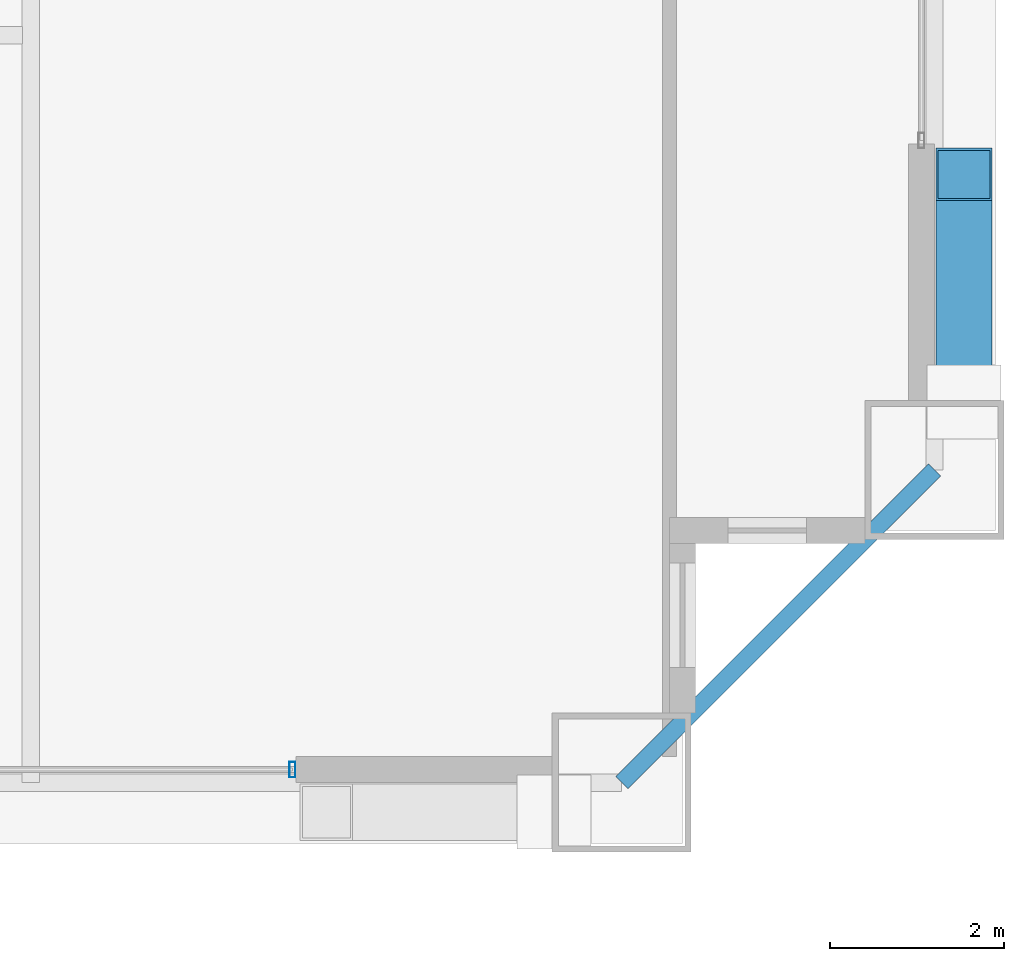
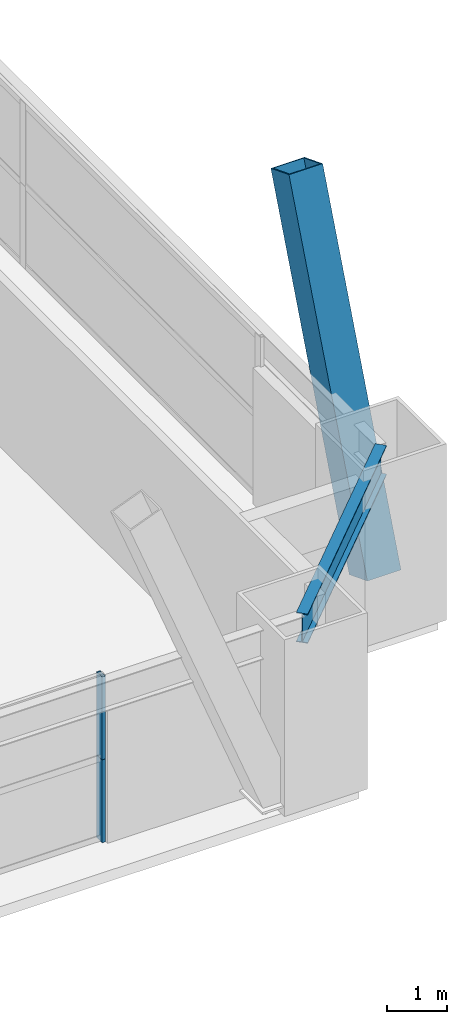
# One storey, part 16 of 43: 3 members, 1 beam, 1 element without a shape of its own.
"""IFC4 building model written with IfcOpenShell, lengths in metres."""

import ifcopenshell
import ifcopenshell.guid

model = None  # the IFC model being written
_history = None  # IfcOwnerHistory: only IFC2X3 demands one
_inside = {}  # id of a spatial element -> (the spatial element, [elements in it])
_under = {}  # id of a project, library or spatial element -> (it, [spatial elements below it])
_declared = {}  # id of a project -> (the project, [libraries it declares])
_typed = {}  # id of a type object -> (the type object, [elements of that type])
_made_of = {}  # id of a material, layer set ... -> (it, [elements and type objects made of it])


def new_model(schema):
    """Start an empty IFC model of exactly this schema.

    Asked for "IFC4X3", IfcOpenShell would pick the latest addendum, in which some entities
    have other attributes; the version numbers below select the first issue.
    IFC2X3 requires an IfcOwnerHistory on every rooted entity: one is made here for all.
    """
    global model, _history
    if schema == "IFC4X3":
        model = ifcopenshell.file(schema_version=(4, 3, 0, 0))
    else:
        model = ifcopenshell.file(schema=schema)
    _inside.clear()
    _under.clear()
    _declared.clear()
    _typed.clear()
    _made_of.clear()
    _history = None
    if model.schema == "IFC2X3":
        org = make("IfcOrganization", Name="unknown")
        user = make(
            "IfcPersonAndOrganization",
            ThePerson=make("IfcPerson", FamilyName="unknown"),
            TheOrganization=org,
        )
        app = make(
            "IfcApplication",
            ApplicationDeveloper=org,
            Version="unknown",
            ApplicationFullName="unknown",
            ApplicationIdentifier="unknown",
        )
        _history = make(
            "IfcOwnerHistory",
            OwningUser=user,
            OwningApplication=app,
            ChangeAction="ADDED",
            CreationDate=0,
        )
    return model


def make(cls, **values):
    """One entity of the class cls with the attributes given. An attribute that is None is left unset."""
    return model.create_entity(
        cls, **{name: value for name, value in values.items() if value is not None}
    )


def rooted(cls, **values):
    """An entity with a GlobalId (a new one), such as an element, a storey or a relation."""
    return make(cls, GlobalId=ifcopenshell.guid.new(), OwnerHistory=_history, **values)


def si_unit(unit_type, name, prefix=None):
    """IfcSIUnit, for example si_unit("LENGTHUNIT", "METRE", prefix="MILLI")."""
    return make("IfcSIUnit", UnitType=unit_type, Prefix=prefix, Name=name)


def assignment(units):
    """IfcUnitAssignment: the units of a project."""
    return None if units is None else make("IfcUnitAssignment", Units=units)


def point(xyz):
    """IfcCartesianPoint."""
    return None if xyz is None else make("IfcCartesianPoint", Coordinates=xyz)


def direction(xyz):
    """IfcDirection."""
    return None if xyz is None else make("IfcDirection", DirectionRatios=xyz)


def frame(location, z_axis=None, x_axis=None):
    """IfcAxis2Placement3D, a coordinate frame: its origin and axes. An axis left out is left unset."""
    return make(
        "IfcAxis2Placement3D",
        Location=point(location),
        Axis=direction(z_axis),
        RefDirection=direction(x_axis),
    )


def frame_2d(location, x_axis=None):
    """IfcAxis2Placement2D, a coordinate frame in the plane: its origin and x axis."""
    return make(
        "IfcAxis2Placement2D", Location=point(location), RefDirection=direction(x_axis)
    )


def origin():
    """The frame at (0, 0, 0) with its axes left unset."""
    return frame((0.0, 0.0, 0.0))


def origin_2d():
    """The frame at (0, 0) in the plane with its x axis left unset."""
    return frame_2d((0.0, 0.0))


def place(relative_to, where):
    """IfcLocalPlacement: puts the frame where relative to a parent placement (None: the world)."""
    return make(
        "IfcLocalPlacement", PlacementRelTo=relative_to, RelativePlacement=where
    )


def context(
    kind, dimensions, precision=None, world=None, true_north=None, identifier=None
):
    """IfcGeometricRepresentationContext, for example the 3D "Model" context."""
    return make(
        "IfcGeometricRepresentationContext",
        ContextIdentifier=identifier,
        ContextType=kind,
        CoordinateSpaceDimension=dimensions,
        Precision=precision,
        WorldCoordinateSystem=world,
        TrueNorth=true_north,
    )


def subcontext(parent, identifier, kind, view, scale=None):
    """IfcGeometricRepresentationSubContext, for example "Body" below "Model"."""
    return make(
        "IfcGeometricRepresentationSubContext",
        ContextIdentifier=identifier,
        ContextType=kind,
        ParentContext=parent,
        TargetScale=scale,
        TargetView=view,
    )


def project(units=None, contexts=None):
    """IfcProject with its units and contexts."""
    return rooted(
        "IfcProject",
        Name="project",
        RepresentationContexts=contexts,
        UnitsInContext=assignment(units),
    )


def spatial(cls, under=None, at=None, **own):
    """A site, building, storey or space (cls), placed at a placement, below another one or the project."""
    s = rooted(cls, ObjectPlacement=at, **own)
    if under is not None:
        _under.setdefault(under.id(), (under, []))[1].append(s)
    return s


def profile(cls, at=None, kind="AREA", **sizes):
    """A parametric profile (cls). Its sizes go by their IFC names, for example OverallWidth=200.0."""
    return make(cls, ProfileType=kind, Position=at, **sizes)


def hollow_rectangle(**sizes):
    """IfcRectangleHollowProfileDef."""
    return profile("IfcRectangleHollowProfileDef", **sizes)


def i_section(**sizes):
    """IfcIShapeProfileDef."""
    return profile("IfcIShapeProfileDef", **sizes)


def extrude(swept, where, along, depth):
    """IfcExtrudedAreaSolid: the profile swept, set in the frame where, extruded along a direction by depth."""
    return make(
        "IfcExtrudedAreaSolid",
        SweptArea=swept,
        Position=where,
        ExtrudedDirection=direction(along),
        Depth=depth,
    )


def shape(context_of_items, identifier, shape_type, items):
    """IfcShapeRepresentation: the items that make up one representation, for example the "Body"."""
    return make(
        "IfcShapeRepresentation",
        ContextOfItems=context_of_items,
        RepresentationIdentifier=identifier,
        RepresentationType=shape_type,
        Items=items,
    )


def source(mapping_origin, context_of_items, identifier, shape_type, items):
    """IfcRepresentationMap: a shape defined once, which mapped items show again and again."""
    return make(
        "IfcRepresentationMap",
        MappingOrigin=mapping_origin,
        MappedRepresentation=shape(context_of_items, identifier, shape_type, items),
    )


def transform(
    local_origin,
    x_axis=None,
    y_axis=None,
    z_axis=None,
    scale=None,
    scale2=None,
    scale3=None,
    uniform=True,
):
    """IfcCartesianTransformationOperator3D, or its non-uniform kind. x_axis, y_axis, z_axis: its Axis1, 2, 3."""
    if uniform:
        return make(
            "IfcCartesianTransformationOperator3D",
            Axis1=direction(x_axis),
            Axis2=direction(y_axis),
            LocalOrigin=point(local_origin),
            Scale=scale,
            Axis3=direction(z_axis),
        )
    return make(
        "IfcCartesianTransformationOperator3DnonUniform",
        Axis1=direction(x_axis),
        Axis2=direction(y_axis),
        LocalOrigin=point(local_origin),
        Scale=scale,
        Axis3=direction(z_axis),
        Scale2=scale2,
        Scale3=scale3,
    )


def mapped(mapping_source, mapping_target):
    """IfcMappedItem: shows the shape of a source again, moved by a transform."""
    return make(
        "IfcMappedItem", MappingSource=mapping_source, MappingTarget=mapping_target
    )


def material(Name=None, Category=None):
    """IfcMaterial."""
    return make("IfcMaterial", Name=Name, Category=Category)


def layer(
    of_material, thickness, ventilated=None, Name=None, Category=None, Priority=None
):
    """IfcMaterialLayer: one layer of a wall or slab, of a material (None: an air gap)."""
    return make(
        "IfcMaterialLayer",
        Material=of_material,
        LayerThickness=thickness,
        IsVentilated=ventilated,
        Name=Name,
        Category=Category,
        Priority=Priority,
    )


def layer_set(layers, Name=None):
    """IfcMaterialLayerSet."""
    return make("IfcMaterialLayerSet", MaterialLayers=layers, LayerSetName=Name)


def material_profile(
    of_material, cross_section, Name=None, Category=None, Priority=None
):
    """IfcMaterialProfile: a cross section and its material."""
    return make(
        "IfcMaterialProfile",
        Name=Name,
        Material=of_material,
        Profile=cross_section,
        Priority=Priority,
        Category=Category,
    )


def profile_set(profiles, Name=None, composite=None):
    """IfcMaterialProfileSet."""
    return make(
        "IfcMaterialProfileSet",
        Name=Name,
        MaterialProfiles=profiles,
        CompositeProfile=composite,
    )


def made_of(thing, what):
    """Note that an element or type object is made of a material, layer set ...; save() writes the relation."""
    if what is not None:
        _made_of.setdefault(what.id(), (what, []))[1].append(thing)
    return thing


def type_object(cls, material=None, **own):
    """A type object (cls), such as IfcWallType, which elements share."""
    return made_of(rooted(cls, **own), material)


def element(
    cls,
    number,
    at=None,
    inside=None,
    cuts=None,
    type_object=None,
    material=None,
    context=None,
    identifier="Body",
    shape_type=None,
    held_by="IfcProductDefinitionShape",
    body=None,
    shapes=None,
    **own,
):
    """One element of the class cls, such as IfcWall. Its Tag is "e" and its number.

    at: its placement. inside: the storey or other place that contains it. cuts: it is an
    opening in that element (IfcRelVoidsElement). A single representation is given by context,
    identifier, shape_type and body (its items); several are given by shapes. held_by: the class
    of the entity that holds the representations. save() writes the other relations.
    """
    e = rooted(cls, Tag="e%d" % number, ObjectPlacement=at, **own)
    if body is not None:
        shapes = [shape(context, identifier, shape_type, body)]
    if shapes is not None:
        e.Representation = make(held_by, Representations=shapes)
    if inside is not None:
        _inside.setdefault(inside.id(), (inside, []))[1].append(e)
    if cuts is not None:
        rooted(
            "IfcRelVoidsElement", RelatingBuildingElement=cuts, RelatedOpeningElement=e
        )
    if type_object is not None:
        _typed.setdefault(type_object.id(), (type_object, []))[1].append(e)
    return made_of(e, material)


def aggregate(whole, parts):
    """IfcRelAggregates: a whole, such as a stair, and the parts it consists of."""
    return rooted("IfcRelAggregates", RelatingObject=whole, RelatedObjects=parts)


def save(model, path):
    """Write the relations noted so far, then the file.

    IfcRelAggregates (storeys below a building ...), IfcRelContainedInSpatialStructure (elements
    in a storey), IfcRelDefinesByType, IfcRelAssociatesMaterial and IfcRelDeclares: one each for
    every whole, place, type object, material and project.
    """
    for whole, parts in _under.values():
        aggregate(whole, parts)
    for where, things in _inside.values():
        rooted(
            "IfcRelContainedInSpatialStructure",
            RelatedElements=things,
            RelatingStructure=where,
        )
    for kind, things in _typed.values():
        rooted("IfcRelDefinesByType", RelatedObjects=things, RelatingType=kind)
    for what, things in _made_of.values():
        rooted("IfcRelAssociatesMaterial", RelatedObjects=things, RelatingMaterial=what)
    for by, libraries in _declared.values():
        rooted("IfcRelDeclares", RelatingContext=by, RelatedDefinitions=libraries)
    model.write(path)


model = new_model("IFC4")

# Units and contexts
model_context = context("Model", 3, precision=1e-05, world=origin(), true_north=direction((0.0, 1.0)))
body_context = subcontext(model_context, "Body", "Model", "MODEL_VIEW")
ifc_project = project(units=[si_unit("LENGTHUNIT", "METRE"), si_unit("AREAUNIT", "SQUARE_METRE"), si_unit("VOLUMEUNIT", "CUBIC_METRE"), si_unit("PLANEANGLEUNIT", "RADIAN"), si_unit("MASSUNIT", "GRAM", prefix="KILO"), si_unit("THERMODYNAMICTEMPERATUREUNIT", "KELVIN"), si_unit("POWERUNIT", "WATT")], contexts=[model_context])

# Site, building, storey
site_placement = place(None, origin())
site = spatial("IfcSite", under=ifc_project, at=site_placement, CompositionType="ELEMENT")
building_placement = place(site_placement, origin())
building = spatial("IfcBuilding", under=site, at=building_placement, Name="Yuzanri Waterfront Tower", CompositionType="ELEMENT")
storey_placement = place(building_placement, frame((0.0, 0.0, 108.199951171875)))
storey = spatial("IfcBuildingStorey", under=building, at=storey_placement, Name="L28", CompositionType="ELEMENT", Elevation=108.199951171875)

# Beam
ifc_material_1 = material(Name="Steel Q355B", Category="steel")
ifc_material_profile_1 = material_profile(ifc_material_1, i_section(OverallWidth=0.199951171875, OverallDepth=0.60009765625, WebThickness=0.010986328125, FlangeThickness=0.01708984375, at=origin_2d()), Name="HN 600x200x11x17")
ifc_profile_set_1 = profile_set([ifc_material_profile_1], Name="Steel Q355B")
beam_type = type_object("IfcBeamType", Name="Perimeter Spandrel Q355B HN 600x200", PredefinedType="SPANDREL", material=ifc_profile_set_1)
shared_shape_1 = source(origin(), body_context, "Body", "SweptSolid", [
    extrude(i_section(OverallWidth=0.199951171875, OverallDepth=0.60009765625, WebThickness=0.010986328125, FlangeThickness=0.01708984375, at=origin_2d()), origin(), (0.0, 0.0, 1.0), 5.09130859375),
])
beam_placement = place(storey_placement, frame((57.0, 2.199951171875, 3.080078125), z_axis=(0.707106781187, 0.707106781187, 0.0), x_axis=(-0.707106781187, 0.707106781187, 0.0)))
element("IfcBeam", 1, at=beam_placement, inside=storey, type_object=beam_type, Name="L28 Perimeter Spandrel S3-E1", PredefinedType="SPANDREL", context=body_context, shape_type="MappedRepresentation", body=[
    mapped(shared_shape_1, transform((0.0, 0.0, 0.0), scale=1.0)),
])

# Member
ifc_material_2 = material(Name="Steel Q420GJC", Category="steel")
ifc_material_profile_2 = material_profile(ifc_material_2, hollow_rectangle(XDim=0.64990234375, YDim=0.64990234375, WallThickness=0.028076171875, at=origin_2d()), Name="RHS 650x650x28")
ifc_profile_set_2 = profile_set([ifc_material_profile_2], Name="Steel Q420GJC")
member_type_1 = type_object("IfcMemberType", Name="Mega Brace Lower Q420GJC RHS 650x650x28", PredefinedType="BRACE", material=ifc_profile_set_2)
shared_shape_2 = source(origin(), body_context, "Body", "SweptSolid", [
    extrude(hollow_rectangle(XDim=0.64990234375, YDim=0.64990234375, WallThickness=0.028076171875, at=origin_2d()), origin(), (0.0, 0.0, 1.0), 7.194091796875),
])
member_1_placement = place(storey_placement, frame((60.93994140625, 6.580078125, 0.179931640625), z_axis=(0.0, 0.36416517997, 0.931334376955), x_axis=(-1.0, 0.0, 0.0)))
element("IfcMember", 2, at=member_1_placement, inside=storey, type_object=member_type_1, Name="L28-L29 Perimeter Mega-Brace E-L", PredefinedType="BRACE", context=body_context, shape_type="MappedRepresentation", body=[
    mapped(shared_shape_2, transform((0.0, 0.0, 0.0), scale=1.0)),
])

# Curtain wall, members
ifc_material_3 = material(Name="Anodized Architectural Bronze", Category="metal")
ifc_layer = layer(ifc_material_3, 0.159912109375)
ifc_layer_set = layer_set([ifc_layer], Name="Anodized Architectural Bronze")
curtain_wall_type = type_object("IfcCurtainWallType", Name="Anodized Bronze Hotel Upper-Tier Solar-Control Unitized Curtain Wall 7800", PredefinedType="NOTDEFINED", material=ifc_layer_set)
curtain_wall_placement = place(storey_placement, origin())
curtain_wall = element("IfcCurtainWall", 3, at=curtain_wall_placement, inside=storey, type_object=curtain_wall_type, Name="L28 Curtain Wall CW-L28-SR", PredefinedType="NOTDEFINED")
ifc_material_4 = material(Name="Anodized Architectural Bronze", Category="metal")
ifc_material_profile_3 = material_profile(ifc_material_4, hollow_rectangle(XDim=0.070068359375, YDim=0.179931640625, WallThickness=0.00390625, at=origin_2d()), Name="CWM 70x180")
ifc_profile_set_3 = profile_set([ifc_material_profile_3], Name="Anodized Architectural Bronze")
member_type_2 = type_object("IfcMemberType", Name="Anodized Bronze Standard Curtain-Wall Mullion 70x180", PredefinedType="MULLION", material=ifc_profile_set_3)
shared_shape_3 = source(origin(), body_context, "Body", "SweptSolid", [
    extrude(hollow_rectangle(XDim=0.070068359375, YDim=0.179931640625, WallThickness=0.00390625, at=origin_2d()), origin(), (0.0, 0.0, 1.0), 1.68798828125),
])
member_2_placement = place(storey_placement, frame((53.2099609375, 2.35009765625, 0.0), z_axis=(0.0, 0.0, 1.0), x_axis=(1.0, 0.0, 0.0)))
member_2 = element("IfcMember", 4, at=member_2_placement, type_object=member_type_2, Name="CW-L28-SR Lower Mullion 02", PredefinedType="MULLION", context=body_context, shape_type="MappedRepresentation", body=[
    mapped(shared_shape_3, transform((0.0, 0.0, 0.0), scale=1.0)),
])
member_3_placement = place(storey_placement, frame((53.2099609375, 2.35009765625, 1.692138671875), z_axis=(0.0, 0.0, 1.0), x_axis=(1.0, 0.0, 0.0)))
member_3 = element("IfcMember", 5, at=member_3_placement, type_object=member_type_2, Name="CW-L28-SR Upper Mullion 02", PredefinedType="MULLION", context=body_context, shape_type="MappedRepresentation", body=[
    mapped(shared_shape_3, transform((0.0, 0.0, 0.0), scale=1.0)),
])
aggregate(curtain_wall, [member_2, member_3])

save(model, "model.ifc")
